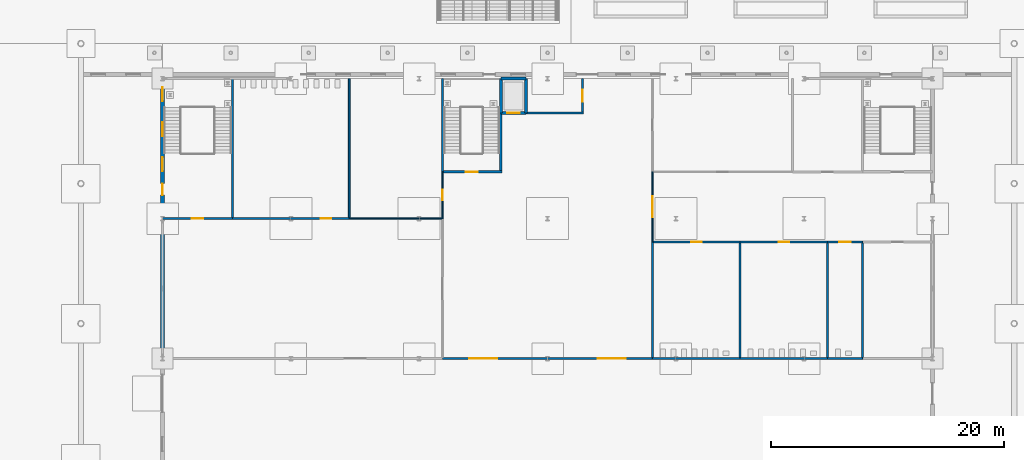
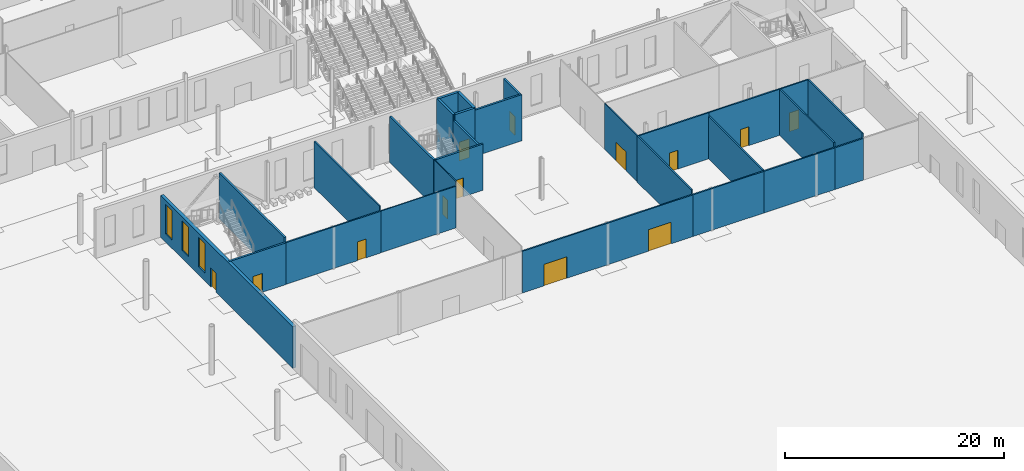
# One storey, part 71 of 132: 28 walls, 13 doors, 3 windows, 16 openings.
"""IFC4 building model written with IfcOpenShell, lengths in metres."""

from ifc_helpers import new_model, si_unit, direction, frame, frame_2d, origin, place, context, subcontext, project, spatial, rectangle, extrude, material, layer, layer_set, type_object, element, fill, save


model = new_model("IFC4")

# Units and contexts
model_context = context("Model", 3, precision=1e-05, world=origin(), true_north=direction((0.0, 1.0)))
body_context = subcontext(model_context, "Body", "Model", "MODEL_VIEW")
ifc_project = project(units=[si_unit("LENGTHUNIT", "METRE"), si_unit("AREAUNIT", "SQUARE_METRE"), si_unit("VOLUMEUNIT", "CUBIC_METRE"), si_unit("PLANEANGLEUNIT", "RADIAN"), si_unit("MASSUNIT", "GRAM", prefix="KILO")], contexts=[model_context])

# Site, building, storey
site_placement = place(None, origin())
site = spatial("IfcSite", under=ifc_project, at=site_placement, CompositionType="ELEMENT")
building_placement = place(site_placement, origin())
building = spatial("IfcBuilding", under=site, at=building_placement, Name="Ravi Spectrum Wholesale Market", CompositionType="ELEMENT")
storey_placement = place(building_placement, origin())
storey = spatial("IfcBuildingStorey", under=building, at=storey_placement, Name="L00", CompositionType="ELEMENT", Elevation=0.0)

# Wall, openings, doors
ifc_material_1 = material(Name="Concrete blockwork", Category="masonry")
ifc_layer_1 = layer(ifc_material_1, 0.14990234375)
ifc_layer_set_1 = layer_set([ifc_layer_1], Name="Concrete blockwork")
wall_type_1 = type_object("IfcWallType", Name="Blockwork partition 150", PredefinedType="PARTITIONING", material=ifc_layer_set_1)
wall_1_placement = place(storey_placement, frame((61.0, 171.0, 0.0), z_axis=(0.0, 0.0, 1.0), x_axis=(1.0, 0.0, 0.0)))
wall_1 = element("IfcWall", 1, at=wall_1_placement, inside=storey, type_object=wall_type_1, Name="H1-WL-L00-030", PredefinedType="PARTITIONING", context=body_context, shape_type="SweptSolid", body=[
    extrude(rectangle(XDim=18.0, YDim=0.14990234375, at=frame_2d((9.0, 0.0))), origin(), (0.0, 0.0, 1.0), 4.64990234375),
])
opening_1_placement = place(wall_1_placement, frame((2.300048828125, 0.0, 0.0)))
opening_1 = element("IfcOpeningElement", 2, at=opening_1_placement, cuts=wall_1, Name="Opening D143", PredefinedType="OPENING", context=body_context, shape_type="SweptSolid", body=[
    extrude(rectangle(XDim=2.39990234375, YDim=2.39990234375, at=frame_2d((1.199951171875, 1.199951171875))), frame((0.0, 0.0849609375, 0.0), z_axis=(0.0, -1.0, 0.0), x_axis=(1.0, 0.0, 0.0)), (0.0, 0.0, 1.0), 0.169921875),
])
opening_2_placement = place(wall_1_placement, frame((13.300048828125, 0.0, 0.0)))
opening_2 = element("IfcOpeningElement", 3, at=opening_2_placement, cuts=wall_1, Name="Opening D144", PredefinedType="OPENING", context=body_context, shape_type="SweptSolid", body=[
    extrude(rectangle(XDim=2.39990234375, YDim=2.39990234375, at=frame_2d((1.199951171875, 1.199951171875))), frame((0.0, 0.0849609375, 0.0), z_axis=(0.0, -1.0, 0.0), x_axis=(1.0, 0.0, 0.0)), (0.0, 0.0, 1.0), 0.169921875),
])
ifc_material_2 = material(Name="Aluminium glazed door", Category="aluminium")
door_type_1 = type_object("IfcDoorType", Name="Hall entrance sliding door 2400 x 2400", OperationType="SLIDING_TO_LEFT", PredefinedType="DOOR", material=ifc_material_2)
door_1_placement = place(opening_1_placement, origin())
door_1 = element("IfcDoor", 4, at=door_1_placement, inside=storey, type_object=door_type_1, Name="Door D143", OperationType="SLIDING_TO_LEFT", OverallHeight=2.39990234375, OverallWidth=2.39990234375, PredefinedType="DOOR", context=body_context, shape_type="SweptSolid", body=[
    extrude(rectangle(XDim=2.39990234375, YDim=2.39990234375, at=frame_2d((1.199951171875, 1.199951171875))), frame((0.0, 0.02490234375, 0.0), z_axis=(0.0, -1.0, 0.0), x_axis=(1.0, 0.0, 0.0)), (0.0, 0.0, 1.0), 0.050048828125),
])
fill(opening_1, door_1)
door_2_placement = place(opening_2_placement, origin())
door_2 = element("IfcDoor", 5, at=door_2_placement, inside=storey, type_object=door_type_1, Name="Door D144", OperationType="SLIDING_TO_LEFT", OverallHeight=2.39990234375, OverallWidth=2.39990234375, PredefinedType="DOOR", context=body_context, shape_type="SweptSolid", body=[
    extrude(rectangle(XDim=2.39990234375, YDim=2.39990234375, at=frame_2d((1.199951171875, 1.199951171875))), frame((0.0, 0.02490234375, 0.0), z_axis=(0.0, -1.0, 0.0), x_axis=(1.0, 0.0, 0.0)), (0.0, 0.0, 1.0), 0.050048828125),
])
fill(opening_2, door_2)

# Walls
for number, where, z_axis, x_axis, name in (
    (6, (79.0, 171.0, 0.0), (0.0, 0.0, 1.0), (1.0, 0.0, 0.0), "H1-WL-L00-031"),
    (7, (86.5, 171.0, 0.0), (0.0, 0.0, 1.0), (1.0, 0.0, 0.0), "H1-WL-L00-032"),
):
    element("IfcWall", number, at=place(storey_placement, frame(where, z_axis=z_axis, x_axis=x_axis)), inside=storey, type_object=wall_type_1, Name=name, PredefinedType="PARTITIONING", context=body_context, shape_type="SweptSolid", body=[
        extrude(rectangle(XDim=7.5, YDim=0.14990234375, at=frame_2d((3.75, 0.0))), origin(), (0.0, 0.0, 1.0), 4.64990234375),
    ])
wall_2_placement = place(storey_placement, frame((94.0, 171.0, 0.0), z_axis=(0.0, 0.0, 1.0), x_axis=(1.0, 0.0, 0.0)))
element("IfcWall", 8, at=wall_2_placement, inside=storey, type_object=wall_type_1, Name="H1-WL-L00-033", PredefinedType="PARTITIONING", context=body_context, shape_type="SweptSolid", body=[
    extrude(rectangle(XDim=3.0, YDim=0.14990234375, at=frame_2d((1.5, 0.0))), origin(), (0.0, 0.0, 1.0), 4.64990234375),
])

# Wall, opening, door
wall_3_placement = place(storey_placement, frame((79.074951171875, 181.0, 0.0), z_axis=(0.0, 0.0, 1.0), x_axis=(1.0, 0.0, 0.0)))
wall_3 = element("IfcWall", 9, at=wall_3_placement, inside=storey, type_object=wall_type_1, Name="H1-WL-L00-035", PredefinedType="PARTITIONING", context=body_context, shape_type="SweptSolid", body=[
    extrude(rectangle(XDim=7.425048828125, YDim=0.14990234375, at=frame_2d((3.71240234375, 0.0))), origin(), (0.0, 0.0, 1.0), 5.14990234375),
])
opening_3_placement = place(wall_3_placement, frame((3.22509765625, 0.0, 0.0)))
opening_3 = element("IfcOpeningElement", 10, at=opening_3_placement, cuts=wall_3, Name="Opening D100", PredefinedType="OPENING", context=body_context, shape_type="SweptSolid", body=[
    extrude(rectangle(XDim=0.89990234375, YDim=2.10009765625, at=frame_2d((0.449951171875, 1.050048828125))), frame((0.0, 0.0849609375, 0.0), z_axis=(0.0, -1.0, 0.0), x_axis=(1.0, 0.0, 0.0)), (0.0, 0.0, 1.0), 0.169921875),
])
ifc_material_3 = material(Name="Timber door", Category="wood")
door_type_2 = type_object("IfcDoorType", Name="Toilet door 900 x 2100", OperationType="SINGLE_SWING_LEFT", PredefinedType="DOOR", material=ifc_material_3)
door_3_placement = place(opening_3_placement, origin())
door_3 = element("IfcDoor", 11, at=door_3_placement, inside=storey, type_object=door_type_2, Name="Door D100", OperationType="SINGLE_SWING_RIGHT", OverallHeight=2.10009765625, OverallWidth=0.89990234375, PredefinedType="DOOR", context=body_context, shape_type="SweptSolid", body=[
    extrude(rectangle(XDim=0.89990234375, YDim=2.10009765625, at=frame_2d((0.449951171875, 1.050048828125))), frame((0.0, 0.02490234375, 0.0), z_axis=(0.0, -1.0, 0.0), x_axis=(1.0, 0.0, 0.0)), (0.0, 0.0, 1.0), 0.050048828125),
])
fill(opening_3, door_3)

wall_4_placement = place(storey_placement, frame((86.5, 181.0, 0.0), z_axis=(0.0, 0.0, 1.0), x_axis=(1.0, 0.0, 0.0)))
wall_4 = element("IfcWall", 12, at=wall_4_placement, inside=storey, type_object=wall_type_1, Name="H1-WL-L00-036", PredefinedType="PARTITIONING", context=body_context, shape_type="SweptSolid", body=[
    extrude(rectangle(XDim=7.5, YDim=0.14990234375, at=frame_2d((3.75, 0.0))), origin(), (0.0, 0.0, 1.0), 5.14990234375),
])
opening_4_placement = place(wall_4_placement, frame((3.300048828125, 0.0, 0.0)))
opening_4 = element("IfcOpeningElement", 13, at=opening_4_placement, cuts=wall_4, Name="Opening D101", PredefinedType="OPENING", context=body_context, shape_type="SweptSolid", body=[
    extrude(rectangle(XDim=0.89990234375, YDim=2.10009765625, at=frame_2d((0.449951171875, 1.050048828125))), frame((0.0, 0.0849609375, 0.0), z_axis=(0.0, -1.0, 0.0), x_axis=(1.0, 0.0, 0.0)), (0.0, 0.0, 1.0), 0.169921875),
])
door_4_placement = place(opening_4_placement, origin())
door_4 = element("IfcDoor", 14, at=door_4_placement, inside=storey, type_object=door_type_2, Name="Door D101", OperationType="SINGLE_SWING_RIGHT", OverallHeight=2.10009765625, OverallWidth=0.89990234375, PredefinedType="DOOR", context=body_context, shape_type="SweptSolid", body=[
    extrude(rectangle(XDim=0.89990234375, YDim=2.10009765625, at=frame_2d((0.449951171875, 1.050048828125))), frame((0.0, 0.02490234375, 0.0), z_axis=(0.0, -1.0, 0.0), x_axis=(1.0, 0.0, 0.0)), (0.0, 0.0, 1.0), 0.050048828125),
])
fill(opening_4, door_4)

wall_5_placement = place(storey_placement, frame((94.0, 181.0, 0.0), z_axis=(0.0, 0.0, 1.0), x_axis=(1.0, 0.0, 0.0)))
wall_5 = element("IfcWall", 15, at=wall_5_placement, inside=storey, type_object=wall_type_1, Name="H1-WL-L00-037", PredefinedType="PARTITIONING", context=body_context, shape_type="SweptSolid", body=[
    extrude(rectangle(XDim=3.0, YDim=0.14990234375, at=frame_2d((1.5, 0.0))), origin(), (0.0, 0.0, 1.0), 5.14990234375),
])
opening_5_placement = place(wall_5_placement, frame((1.0, 0.0, 0.0)))
opening_5 = element("IfcOpeningElement", 16, at=opening_5_placement, cuts=wall_5, Name="Opening D102", PredefinedType="OPENING", context=body_context, shape_type="SweptSolid", body=[
    extrude(rectangle(XDim=1.0, YDim=2.10009765625, at=frame_2d((0.5, 1.050048828125))), frame((0.0, 0.0849609375, 0.0), z_axis=(0.0, -1.0, 0.0), x_axis=(1.0, 0.0, 0.0)), (0.0, 0.0, 1.0), 0.169921875),
])
ifc_material_4 = material(Name="Timber door", Category="wood")
door_type_3 = type_object("IfcDoorType", Name="Accessible toilet door 1000 x 2100", OperationType="SINGLE_SWING_LEFT", PredefinedType="DOOR", material=ifc_material_4)
door_5_placement = place(opening_5_placement, origin())
door_5 = element("IfcDoor", 17, at=door_5_placement, inside=storey, type_object=door_type_3, Name="Door D102", OperationType="SINGLE_SWING_RIGHT", OverallHeight=2.10009765625, OverallWidth=1.0, PredefinedType="DOOR", context=body_context, shape_type="SweptSolid", body=[
    extrude(rectangle(XDim=1.0, YDim=2.10009765625, at=frame_2d((0.5, 1.050048828125))), frame((0.0, 0.02490234375, 0.0), z_axis=(0.0, -1.0, 0.0), x_axis=(1.0, 0.0, 0.0)), (0.0, 0.0, 1.0), 0.050048828125),
])
fill(opening_5, door_5)

wall_6_placement = place(storey_placement, frame((43.0, 183.0, 0.0), z_axis=(0.0, 0.0, 1.0), x_axis=(1.0, 0.0, 0.0)))
wall_6 = element("IfcWall", 18, at=wall_6_placement, inside=storey, type_object=wall_type_1, Name="H1-WL-L00-040", PredefinedType="PARTITIONING", context=body_context, shape_type="SweptSolid", body=[
    extrude(rectangle(XDim=10.0, YDim=0.14990234375, at=frame_2d((5.0, 0.0))), origin(), (0.0, 0.0, 1.0), 4.64990234375),
])
opening_6_placement = place(wall_6_placement, frame((7.550048828125, 0.0, 0.0)))
opening_6 = element("IfcOpeningElement", 19, at=opening_6_placement, cuts=wall_6, Name="Opening D151", PredefinedType="OPENING", context=body_context, shape_type="SweptSolid", body=[
    extrude(rectangle(XDim=0.89990234375, YDim=2.10009765625, at=frame_2d((0.449951171875, 1.050048828125))), frame((0.0, 0.0849609375, 0.0), z_axis=(0.0, -1.0, 0.0), x_axis=(1.0, 0.0, 0.0)), (0.0, 0.0, 1.0), 0.169921875),
])
door_6_placement = place(opening_6_placement, origin())
door_6 = element("IfcDoor", 20, at=door_6_placement, inside=storey, type_object=door_type_2, Name="Door D151", OperationType="SINGLE_SWING_RIGHT", OverallHeight=2.10009765625, OverallWidth=0.89990234375, PredefinedType="DOOR", context=body_context, shape_type="SweptSolid", body=[
    extrude(rectangle(XDim=0.89990234375, YDim=2.10009765625, at=frame_2d((0.449951171875, 1.050048828125))), frame((0.0, 0.02490234375, 0.0), z_axis=(0.0, -1.0, 0.0), x_axis=(1.0, 0.0, 0.0)), (0.0, 0.0, 1.0), 0.050048828125),
])
fill(opening_6, door_6)

# Walls
wall_7_placement = place(storey_placement, frame((53.0, 183.074951171875, 0.0), z_axis=(0.0, 0.0, 1.0), x_axis=(0.0, 1.0, 0.0)))
element("IfcWall", 21, at=wall_7_placement, inside=storey, type_object=wall_type_1, Name="H1-WL-L00-048", PredefinedType="PARTITIONING", context=body_context, shape_type="SweptSolid", body=[
    extrude(rectangle(XDim=11.925048828125, YDim=0.14990234375, at=frame_2d((5.96240234375, 0.0))), origin(), (0.0, 0.0, 1.0), 5.14990234375),
])
wall_8_placement = place(storey_placement, frame((79.0, 171.074951171875, 0.0), z_axis=(0.0, 0.0, 1.0), x_axis=(0.0, 1.0, 0.0)))
element("IfcWall", 22, at=wall_8_placement, inside=storey, type_object=wall_type_1, Name="H1-WL-L00-054", PredefinedType="PARTITIONING", context=body_context, shape_type="SweptSolid", body=[
    extrude(rectangle(XDim=9.925048828125, YDim=0.14990234375, at=frame_2d((4.96240234375, 0.0))), origin(), (0.0, 0.0, 1.0), 5.14990234375),
])
wall_9_placement = place(storey_placement, frame((86.5, 171.074951171875, 0.0), z_axis=(0.0, 0.0, 1.0), x_axis=(0.0, 1.0, 0.0)))
element("IfcWall", 23, at=wall_9_placement, inside=storey, type_object=wall_type_1, Name="H1-WL-L00-057", PredefinedType="PARTITIONING", context=body_context, shape_type="SweptSolid", body=[
    extrude(rectangle(XDim=9.85009765625, YDim=0.14990234375, at=frame_2d((4.925048828125, 0.0))), origin(), (0.0, 0.0, 1.0), 4.75),
])
for number, where, z_axis, x_axis, name in (
    (24, (94.0, 171.074951171875, 0.0), (0.0, 0.0, 1.0), (0.0, 1.0, 0.0), "H1-WL-L00-059"),
    (25, (97.0, 171.074951171875, 0.0), (0.0, 0.0, 1.0), (0.0, 1.0, 0.0), "H1-WL-L00-060"),
):
    element("IfcWall", number, at=place(storey_placement, frame(where, z_axis=z_axis, x_axis=x_axis)), inside=storey, type_object=wall_type_1, Name=name, PredefinedType="PARTITIONING", context=body_context, shape_type="SweptSolid", body=[
        extrude(rectangle(XDim=9.85009765625, YDim=0.14990234375, at=frame_2d((4.925048828125, 0.0))), origin(), (0.0, 0.0, 1.0), 5.14990234375),
    ])

# Wall, opening, door
ifc_material_5 = material(Name="Concrete blockwork", Category="masonry")
ifc_layer_2 = layer(ifc_material_5, 0.199951171875)
ifc_layer_set_2 = layer_set([ifc_layer_2], Name="Concrete blockwork")
wall_type_2 = type_object("IfcWallType", Name="Blockwork partition 200 fire", PredefinedType="PARTITIONING", material=ifc_layer_set_2)
wall_10_placement = place(storey_placement, frame((37.0, 183.0, 0.0), z_axis=(0.0, 0.0, 1.0), x_axis=(1.0, 0.0, 0.0)))
wall_10 = element("IfcWall", 26, at=wall_10_placement, inside=storey, type_object=wall_type_2, Name="H1-WL-L00-039", PredefinedType="PARTITIONING", context=body_context, shape_type="SweptSolid", body=[
    extrude(rectangle(XDim=6.0, YDim=0.199951171875, at=frame_2d((3.0, 0.0))), origin(), (0.0, 0.0, 1.0), 4.64990234375),
])
opening_7_placement = place(wall_10_placement, frame((2.5, 0.0, 0.0)))
opening_7 = element("IfcOpeningElement", 27, at=opening_7_placement, cuts=wall_10, Name="Opening D150", PredefinedType="OPENING", context=body_context, shape_type="SweptSolid", body=[
    extrude(rectangle(XDim=1.0, YDim=2.10009765625, at=frame_2d((0.5, 1.050048828125))), frame((0.0, 0.10986328125, 0.0), z_axis=(0.0, -1.0, 0.0), x_axis=(1.0, 0.0, 0.0)), (0.0, 0.0, 1.0), 0.219970703125),
])
ifc_material_6 = material(Name="Steel door", Category="steel")
door_type_4 = type_object("IfcDoorType", Name="Stair door 1000 x 2100", OperationType="SINGLE_SWING_LEFT", PredefinedType="DOOR", material=ifc_material_6)
door_7_placement = place(opening_7_placement, origin())
door_7 = element("IfcDoor", 28, at=door_7_placement, inside=storey, type_object=door_type_4, Name="Door D150", OperationType="SINGLE_SWING_LEFT", OverallHeight=2.10009765625, OverallWidth=1.0, PredefinedType="DOOR", context=body_context, shape_type="SweptSolid", body=[
    extrude(rectangle(XDim=1.0, YDim=2.10009765625, at=frame_2d((0.5, 1.050048828125))), frame((0.0, 0.02490234375, 0.0), z_axis=(0.0, -1.0, 0.0), x_axis=(1.0, 0.0, 0.0)), (0.0, 0.0, 1.0), 0.050048828125),
])
fill(opening_7, door_7)

wall_11_placement = place(storey_placement, frame((61.10009765625, 187.0, 0.0), z_axis=(0.0, 0.0, 1.0), x_axis=(1.0, 0.0, 0.0)))
wall_11 = element("IfcWall", 29, at=wall_11_placement, inside=storey, type_object=wall_type_2, Name="H1-WL-L00-042", PredefinedType="PARTITIONING", context=body_context, shape_type="SweptSolid", body=[
    extrude(rectangle(XDim=5.0, YDim=0.199951171875, at=frame_2d((2.5, 0.0))), origin(), (0.0, 0.0, 1.0), 5.14990234375),
])
opening_8_placement = place(wall_11_placement, frame((1.89990234375, 0.0, 0.0)))
opening_8 = element("IfcOpeningElement", 30, at=opening_8_placement, cuts=wall_11, Name="Opening D146", PredefinedType="OPENING", context=body_context, shape_type="SweptSolid", body=[
    extrude(rectangle(XDim=1.0, YDim=2.10009765625, at=frame_2d((0.5, 1.050048828125))), frame((0.0, 0.10986328125, 0.0), z_axis=(0.0, -1.0, 0.0), x_axis=(1.0, 0.0, 0.0)), (0.0, 0.0, 1.0), 0.219970703125),
])
door_8_placement = place(opening_8_placement, origin())
door_8 = element("IfcDoor", 31, at=door_8_placement, inside=storey, type_object=door_type_4, Name="Door D146", OperationType="SINGLE_SWING_LEFT", OverallHeight=2.10009765625, OverallWidth=1.0, PredefinedType="DOOR", context=body_context, shape_type="SweptSolid", body=[
    extrude(rectangle(XDim=1.0, YDim=2.10009765625, at=frame_2d((0.5, 1.050048828125))), frame((0.0, 0.02490234375, 0.0), z_axis=(0.0, -1.0, 0.0), x_axis=(1.0, 0.0, 0.0)), (0.0, 0.0, 1.0), 0.050048828125),
])
fill(opening_8, door_8)

# Walls
wall_12_placement = place(storey_placement, frame((68.14990234375, 192.050048828125, 0.0), z_axis=(0.0, 0.0, 1.0), x_axis=(1.0, 0.0, 0.0)))
element("IfcWall", 32, at=wall_12_placement, inside=storey, type_object=wall_type_2, Name="H1-WL-L00-046", PredefinedType="PARTITIONING", context=body_context, shape_type="SweptSolid", body=[
    extrude(rectangle(XDim=4.9501953125, YDim=0.199951171875, at=frame_2d((2.47509765625, 0.0))), origin(), (0.0, 0.0, 1.0), 5.14990234375),
])
wall_13_placement = place(storey_placement, frame((43.0, 183.10009765625, 0.0), z_axis=(0.0, 0.0, 1.0), x_axis=(0.0, 1.0, 0.0)))
element("IfcWall", 33, at=wall_13_placement, inside=storey, type_object=wall_type_2, Name="H1-WL-L00-047", PredefinedType="PARTITIONING", context=body_context, shape_type="SweptSolid", body=[
    extrude(rectangle(XDim=11.89990234375, YDim=0.199951171875, at=frame_2d((5.949951171875, 0.0))), origin(), (0.0, 0.0, 1.0), 5.14990234375),
])
wall_14_placement = place(storey_placement, frame((61.0, 187.0, 0.0), z_axis=(0.0, 0.0, 1.0), x_axis=(0.0, 1.0, 0.0)))
element("IfcWall", 34, at=wall_14_placement, inside=storey, type_object=wall_type_2, Name="H1-WL-L00-051", PredefinedType="PARTITIONING", context=body_context, shape_type="SweptSolid", body=[
    extrude(rectangle(XDim=8.0, YDim=0.199951171875, at=frame_2d((4.0, 0.0))), origin(), (0.0, 0.0, 1.0), 5.14990234375),
])
wall_15_placement = place(storey_placement, frame((66.0, 187.10009765625, 0.0), z_axis=(0.0, 0.0, 1.0), x_axis=(0.0, 1.0, 0.0)))
element("IfcWall", 35, at=wall_15_placement, inside=storey, type_object=wall_type_2, Name="H1-WL-L00-052", PredefinedType="PARTITIONING", context=body_context, shape_type="SweptSolid", body=[
    extrude(rectangle(XDim=4.949951171875, YDim=0.199951171875, at=frame_2d((2.47509765625, 0.0))), origin(), (0.0, 0.0, 1.0), 4.75),
])

# Wall, opening, door
wall_16_placement = place(storey_placement, frame((73.0, 192.14990234375, 0.0), z_axis=(0.0, 0.0, 1.0), x_axis=(0.0, 1.0, 0.0)))
wall_16 = element("IfcWall", 36, at=wall_16_placement, inside=storey, type_object=wall_type_2, Name="H1-WL-L00-053", PredefinedType="PARTITIONING", context=body_context, shape_type="SweptSolid", body=[
    extrude(rectangle(XDim=2.85009765625, YDim=0.199951171875, at=frame_2d((1.425048828125, 0.0))), origin(), (0.0, 0.0, 1.0), 5.14990234375),
])
opening_9_placement = place(wall_16_placement, frame((0.875, 0.0, 0.0)))
opening_9 = element("IfcOpeningElement", 37, at=opening_9_placement, cuts=wall_16, Name="Opening D163", PredefinedType="OPENING", context=body_context, shape_type="SweptSolid", body=[
    extrude(rectangle(XDim=1.0, YDim=2.10009765625, at=frame_2d((0.5, 1.050048828125))), frame((0.0, 0.10986328125, 0.0), z_axis=(0.0, -1.0, 0.0), x_axis=(1.0, 0.0, 0.0)), (0.0, 0.0, 1.0), 0.219970703125),
])
ifc_material_7 = material(Name="Steel door", Category="steel")
door_type_5 = type_object("IfcDoorType", Name="Plant room door 1000 x 2100", OperationType="SINGLE_SWING_LEFT", PredefinedType="DOOR", material=ifc_material_7)
door_9_placement = place(opening_9_placement, origin())
door_9 = element("IfcDoor", 38, at=door_9_placement, inside=storey, type_object=door_type_5, Name="Riser access door D163", OperationType="SINGLE_SWING_RIGHT", OverallHeight=2.10009765625, OverallWidth=1.0, PredefinedType="DOOR", context=body_context, shape_type="SweptSolid", body=[
    extrude(rectangle(XDim=1.0, YDim=2.10009765625, at=frame_2d((0.5, 1.050048828125))), frame((0.0, 0.02490234375, 0.0), z_axis=(0.0, -1.0, 0.0), x_axis=(1.0, 0.0, 0.0)), (0.0, 0.0, 1.0), 0.050048828125),
])
fill(opening_9, door_9)

# Wall, openings, door, windows
ifc_material_8 = material(Name="Clinker brickwork", Category="masonry")
ifc_layer_3 = layer(ifc_material_8, 0.340087890625)
ifc_layer_set_3 = layer_set([ifc_layer_3], Name="Clinker brickwork")
wall_type_3 = type_object("IfcWallType", Name="Brick 340 clinker", PredefinedType="SOLIDWALL", material=ifc_layer_set_3)
wall_17_placement = place(storey_placement, frame((37.0, 195.169921875, 0.0), z_axis=(0.0, 0.0, 1.0), x_axis=(0.0, -1.0, 0.0)))
wall_17 = element("IfcWall", 39, at=wall_17_placement, inside=storey, type_object=wall_type_3, Name="Hall wall", PredefinedType="SOLIDWALL", context=body_context, shape_type="SweptSolid", body=[
    extrude(rectangle(XDim=24.169921875, YDim=0.340087890625, at=frame_2d((12.0849609375, 0.0))), origin(), (0.0, 0.0, 1.0), 4.64990234375),
])
opening_10_placement = place(wall_17_placement, frame((10.169921875, 0.0, 0.0), z_axis=(0.0, 0.0, 1.0), x_axis=(-1.0, 0.0, 0.0)))
opening_10 = element("IfcOpeningElement", 40, at=opening_10_placement, cuts=wall_17, Name="Opening D154", PredefinedType="OPENING", context=body_context, shape_type="SweptSolid", body=[
    extrude(rectangle(XDim=1.0, YDim=2.10009765625, at=frame_2d((0.5, 1.050048828125))), frame((0.0, 0.179931640625, 0.0), z_axis=(0.0, -1.0, 0.0), x_axis=(1.0, 0.0, 0.0)), (0.0, 0.0, 1.0), 0.360107421875),
])
opening_11_placement = place(wall_17_placement, frame((0.89990234375, 0.0, 0.89990234375)))
opening_11 = element("IfcOpeningElement", 41, at=opening_11_placement, cuts=wall_17, Name="Opening W1000", PredefinedType="OPENING", context=body_context, shape_type="SweptSolid", body=[
    extrude(rectangle(XDim=1.199951171875, YDim=3.300048828125, at=frame_2d((0.60009765625, 1.64990234375))), frame((0.0, 0.179931640625, 0.0), z_axis=(0.0, -1.0, 0.0), x_axis=(1.0, 0.0, 0.0)), (0.0, 0.0, 1.0), 0.360107421875),
])
opening_12_placement = place(wall_17_placement, frame((3.89990234375, 0.0, 0.89990234375)))
opening_12 = element("IfcOpeningElement", 42, at=opening_12_placement, cuts=wall_17, Name="Opening W1001", PredefinedType="OPENING", context=body_context, shape_type="SweptSolid", body=[
    extrude(rectangle(XDim=1.199951171875, YDim=3.300048828125, at=frame_2d((0.60009765625, 1.64990234375))), frame((0.0, 0.179931640625, 0.0), z_axis=(0.0, -1.0, 0.0), x_axis=(1.0, 0.0, 0.0)), (0.0, 0.0, 1.0), 0.360107421875),
])
opening_13_placement = place(wall_17_placement, frame((6.89990234375, 0.0, 0.89990234375)))
opening_13 = element("IfcOpeningElement", 43, at=opening_13_placement, cuts=wall_17, Name="Opening W1002", PredefinedType="OPENING", context=body_context, shape_type="SweptSolid", body=[
    extrude(rectangle(XDim=1.199951171875, YDim=3.300048828125, at=frame_2d((0.60009765625, 1.64990234375))), frame((0.0, 0.179931640625, 0.0), z_axis=(0.0, -1.0, 0.0), x_axis=(1.0, 0.0, 0.0)), (0.0, 0.0, 1.0), 0.360107421875),
])
ifc_material_9 = material(Name="Steel door", Category="steel")
door_type_6 = type_object("IfcDoorType", Name="Pedestrian exit door 1000 x 2100", OperationType="SINGLE_SWING_LEFT", PredefinedType="DOOR", material=ifc_material_9)
door_10_placement = place(opening_10_placement, origin())
door_10 = element("IfcDoor", 44, at=door_10_placement, inside=storey, type_object=door_type_6, Name="Door D154", OperationType="SINGLE_SWING_LEFT", OverallHeight=2.10009765625, OverallWidth=1.0, PredefinedType="DOOR", context=body_context, shape_type="SweptSolid", body=[
    extrude(rectangle(XDim=1.0, YDim=2.10009765625, at=frame_2d((0.5, 1.050048828125))), frame((0.0, 0.02490234375, 0.0), z_axis=(0.0, -1.0, 0.0), x_axis=(1.0, 0.0, 0.0)), (0.0, 0.0, 1.0), 0.050048828125),
])
fill(opening_10, door_10)
ifc_material_10 = material(Name="Steel window frame", Category="steel")
window_type = type_object("IfcWindowType", Name="Tall pier window 1200 x 3300", PartitioningType="SINGLE_PANEL", PredefinedType="WINDOW", material=ifc_material_10)
window_1_placement = place(opening_11_placement, origin())
window_1 = element("IfcWindow", 45, at=window_1_placement, inside=storey, type_object=window_type, Name="Window W1000", OverallHeight=3.300048828125, OverallWidth=1.199951171875, PartitioningType="SINGLE_PANEL", PredefinedType="WINDOW", context=body_context, shape_type="SweptSolid", body=[
    extrude(rectangle(XDim=1.199951171875, YDim=3.300048828125, at=frame_2d((0.60009765625, 1.64990234375))), frame((0.0, 0.030029296875, 0.0), z_axis=(0.0, -1.0, 0.0), x_axis=(1.0, 0.0, 0.0)), (0.0, 0.0, 1.0), 0.06005859375),
])
fill(opening_11, window_1)
window_2_placement = place(opening_12_placement, origin())
window_2 = element("IfcWindow", 46, at=window_2_placement, inside=storey, type_object=window_type, Name="Window W1001", OverallHeight=3.300048828125, OverallWidth=1.199951171875, PartitioningType="SINGLE_PANEL", PredefinedType="WINDOW", context=body_context, shape_type="SweptSolid", body=[
    extrude(rectangle(XDim=1.199951171875, YDim=3.300048828125, at=frame_2d((0.60009765625, 1.64990234375))), frame((0.0, 0.030029296875, 0.0), z_axis=(0.0, -1.0, 0.0), x_axis=(1.0, 0.0, 0.0)), (0.0, 0.0, 1.0), 0.06005859375),
])
fill(opening_12, window_2)
window_3_placement = place(opening_13_placement, origin())
window_3 = element("IfcWindow", 47, at=window_3_placement, inside=storey, type_object=window_type, Name="Window W1002", OverallHeight=3.300048828125, OverallWidth=1.199951171875, PartitioningType="SINGLE_PANEL", PredefinedType="WINDOW", context=body_context, shape_type="SweptSolid", body=[
    extrude(rectangle(XDim=1.199951171875, YDim=3.300048828125, at=frame_2d((0.60009765625, 1.64990234375))), frame((0.0, 0.030029296875, 0.0), z_axis=(0.0, -1.0, 0.0), x_axis=(1.0, 0.0, 0.0)), (0.0, 0.0, 1.0), 0.06005859375),
])
fill(opening_13, window_3)

# Wall
ifc_material_11 = material(Name="Gypsum board partition")
ifc_layer_4 = layer(ifc_material_11, 0.10009765625)
ifc_layer_set_4 = layer_set([ifc_layer_4], Name="Gypsum board partition")
wall_type_4 = type_object("IfcWallType", Name="Drywall partition 100", PredefinedType="PARTITIONING", material=ifc_layer_set_4)
wall_18_placement = place(storey_placement, frame((53.0, 183.0, 0.0), z_axis=(0.0, 0.0, 1.0), x_axis=(1.0, 0.0, 0.0)))
element("IfcWall", 48, at=wall_18_placement, inside=storey, type_object=wall_type_4, Name="H1-WL-L00-041", PredefinedType="PARTITIONING", context=body_context, shape_type="SweptSolid", body=[
    extrude(rectangle(XDim=7.949951171875, YDim=0.10009765625, at=frame_2d((3.97509765625, 0.0))), origin(), (0.0, 0.0, 1.0), 4.64990234375),
])

# Wall, opening, door
wall_19_placement = place(storey_placement, frame((61.0, 183.0, 0.0), z_axis=(0.0, 0.0, 1.0), x_axis=(0.0, 1.0, 0.0)))
wall_19 = element("IfcWall", 49, at=wall_19_placement, inside=storey, type_object=wall_type_4, Name="H1-WL-L00-050", PredefinedType="PARTITIONING", context=body_context, shape_type="SweptSolid", body=[
    extrude(rectangle(XDim=4.0, YDim=0.10009765625, at=frame_2d((2.0, 0.0))), origin(), (0.0, 0.0, 1.0), 5.14990234375),
])
opening_14_placement = place(wall_19_placement, frame((1.550048828125, 0.0, 0.0)))
opening_14 = element("IfcOpeningElement", 50, at=opening_14_placement, cuts=wall_19, Name="Opening D152", PredefinedType="OPENING", context=body_context, shape_type="SweptSolid", body=[
    extrude(rectangle(XDim=0.89990234375, YDim=2.10009765625, at=frame_2d((0.449951171875, 1.050048828125))), frame((0.0, 0.06005859375, 0.0), z_axis=(0.0, -1.0, 0.0), x_axis=(1.0, 0.0, 0.0)), (0.0, 0.0, 1.0), 0.1201171875),
])
ifc_material_12 = material(Name="Timber door", Category="wood")
door_type_7 = type_object("IfcDoorType", Name="Office door 900 x 2100", OperationType="SINGLE_SWING_LEFT", PredefinedType="DOOR", material=ifc_material_12)
door_11_placement = place(opening_14_placement, origin())
door_11 = element("IfcDoor", 51, at=door_11_placement, inside=storey, type_object=door_type_7, Name="Door D152", OperationType="SINGLE_SWING_LEFT", OverallHeight=2.10009765625, OverallWidth=0.89990234375, PredefinedType="DOOR", context=body_context, shape_type="SweptSolid", body=[
    extrude(rectangle(XDim=0.89990234375, YDim=2.10009765625, at=frame_2d((0.449951171875, 1.050048828125))), frame((0.0, 0.02490234375, 0.0), z_axis=(0.0, -1.0, 0.0), x_axis=(1.0, 0.0, 0.0)), (0.0, 0.0, 1.0), 0.050048828125),
])
fill(opening_14, door_11)

wall_20_placement = place(storey_placement, frame((79.0, 181.0, 0.0), z_axis=(0.0, 0.0, 1.0), x_axis=(0.0, 1.0, 0.0)))
wall_20 = element("IfcWall", 52, at=wall_20_placement, inside=storey, type_object=wall_type_4, Name="H1-WL-L00-055", PredefinedType="PARTITIONING", context=body_context, shape_type="SweptSolid", body=[
    extrude(rectangle(XDim=6.0, YDim=0.10009765625, at=frame_2d((3.0, 0.0))), origin(), (0.0, 0.0, 1.0), 5.14990234375),
])
opening_15_placement = place(wall_20_placement, frame((2.10009765625, 0.0, 0.0)))
opening_15 = element("IfcOpeningElement", 53, at=opening_15_placement, cuts=wall_20, Name="Opening D157", PredefinedType="OPENING", context=body_context, shape_type="SweptSolid", body=[
    extrude(rectangle(XDim=1.800048828125, YDim=2.10009765625, at=frame_2d((0.89990234375, 1.050048828125))), frame((0.0, 0.06005859375, 0.0), z_axis=(0.0, -1.0, 0.0), x_axis=(1.0, 0.0, 0.0)), (0.0, 0.0, 1.0), 0.1201171875),
])
ifc_material_13 = material(Name="Steel door", Category="steel")
door_type_8 = type_object("IfcDoorType", Name="Double leaf door 1800 x 2100", OperationType="DOUBLE_DOOR_SINGLE_SWING", PredefinedType="DOOR", material=ifc_material_13)
door_12_placement = place(opening_15_placement, origin())
door_12 = element("IfcDoor", 54, at=door_12_placement, inside=storey, type_object=door_type_8, Name="Door D157", OperationType="DOUBLE_DOOR_SINGLE_SWING", OverallHeight=2.10009765625, OverallWidth=1.800048828125, PredefinedType="DOOR", context=body_context, shape_type="SweptSolid", body=[
    extrude(rectangle(XDim=1.800048828125, YDim=2.10009765625, at=frame_2d((0.89990234375, 1.050048828125))), frame((0.0, 0.02490234375, 0.0), z_axis=(0.0, -1.0, 0.0), x_axis=(1.0, 0.0, 0.0)), (0.0, 0.0, 1.0), 0.050048828125),
])
fill(opening_15, door_12)

# Walls
ifc_material_14 = material(Name="Concrete C35/45", Category="concrete")
ifc_layer_5 = layer(ifc_material_14, 0.25)
ifc_layer_set_5 = layer_set([ifc_layer_5], Name="Concrete C35/45")
wall_type_5 = type_object("IfcWallType", Name="Shaft wall 250", PredefinedType="SHEAR", material=ifc_layer_set_5)
wall_21_placement = place(storey_placement, frame((68.14990234375, 192.050048828125, -1.39990234375), z_axis=(0.0, 0.0, 1.0), x_axis=(0.0, 1.0, 0.0)))
element("IfcWall", 55, at=wall_21_placement, inside=storey, type_object=wall_type_5, Name="H1-WL-L00-LF-H1-1-E", PredefinedType="SHEAR", context=body_context, shape_type="SweptSolid", body=[
    extrude(rectangle(XDim=2.949951171875, YDim=0.25, at=frame_2d((1.47509765625, 0.0))), origin(), (0.0, 0.0, 1.0), 6.7998046875),
])
wall_22_placement = place(storey_placement, frame((68.14990234375, 195.0, -1.39990234375), z_axis=(0.0, 0.0, 1.0), x_axis=(-1.0, 0.0, 0.0)))
element("IfcWall", 56, at=wall_22_placement, inside=storey, type_object=wall_type_5, Name="H1-WL-L00-LF-H1-1-N", PredefinedType="SHEAR", context=body_context, shape_type="SweptSolid", body=[
    extrude(rectangle(XDim=2.14990234375, YDim=0.25, at=frame_2d((1.074951171875, 0.0))), origin(), (0.0, 0.0, 1.0), 6.7998046875),
])

# Wall, opening, door
wall_23_placement = place(storey_placement, frame((66.0, 192.050048828125, -1.39990234375), z_axis=(0.0, 0.0, 1.0), x_axis=(1.0, 0.0, 0.0)))
wall_23 = element("IfcWall", 57, at=wall_23_placement, inside=storey, type_object=wall_type_5, Name="H1-WL-L00-LF-H1-1-S", PredefinedType="SHEAR", context=body_context, shape_type="SweptSolid", body=[
    extrude(rectangle(XDim=2.14990234375, YDim=0.25, at=frame_2d((1.074951171875, 0.0))), origin(), (0.0, 0.0, 1.0), 6.7998046875),
])
opening_16_placement = place(wall_23_placement, frame((0.52490234375, 0.0, 1.39990234375)))
opening_16 = element("IfcOpeningElement", 58, at=opening_16_placement, cuts=wall_23, Name="Opening D181", PredefinedType="OPENING", context=body_context, shape_type="SweptSolid", body=[
    extrude(rectangle(XDim=1.10009765625, YDim=2.10009765625, at=frame_2d((0.550048828125, 1.050048828125))), frame((0.0, 0.135009765625, 0.0), z_axis=(0.0, -1.0, 0.0), x_axis=(1.0, 0.0, 0.0)), (0.0, 0.0, 1.0), 0.27001953125),
])
ifc_material_15 = material(Name="Stainless steel door", Category="steel")
door_type_9 = type_object("IfcDoorType", Name="Lift landing door 1100 x 2100", OperationType="SLIDING_TO_LEFT", PredefinedType="DOOR", material=ifc_material_15)
door_13_placement = place(opening_16_placement, origin())
door_13 = element("IfcDoor", 59, at=door_13_placement, inside=storey, type_object=door_type_9, Name="Landing door LF-H1-1 L00", OperationType="SLIDING_TO_LEFT", OverallHeight=2.10009765625, OverallWidth=1.10009765625, PredefinedType="DOOR", context=body_context, shape_type="SweptSolid", body=[
    extrude(rectangle(XDim=1.10009765625, YDim=2.10009765625, at=frame_2d((0.550048828125, 1.050048828125))), frame((0.0, 0.02490234375, 0.0), z_axis=(0.0, -1.0, 0.0), x_axis=(1.0, 0.0, 0.0)), (0.0, 0.0, 1.0), 0.050048828125),
])
fill(opening_16, door_13)

# Wall
wall_24_placement = place(storey_placement, frame((66.0, 195.0, -1.39990234375), z_axis=(0.0, 0.0, 1.0), x_axis=(0.0, -1.0, 0.0)))
element("IfcWall", 60, at=wall_24_placement, inside=storey, type_object=wall_type_5, Name="H1-WL-L00-LF-H1-1-W", PredefinedType="SHEAR", context=body_context, shape_type="SweptSolid", body=[
    extrude(rectangle(XDim=2.949951171875, YDim=0.25, at=frame_2d((1.47509765625, 0.0))), origin(), (0.0, 0.0, 1.0), 6.7998046875),
])

save(model, "model.ifc")
